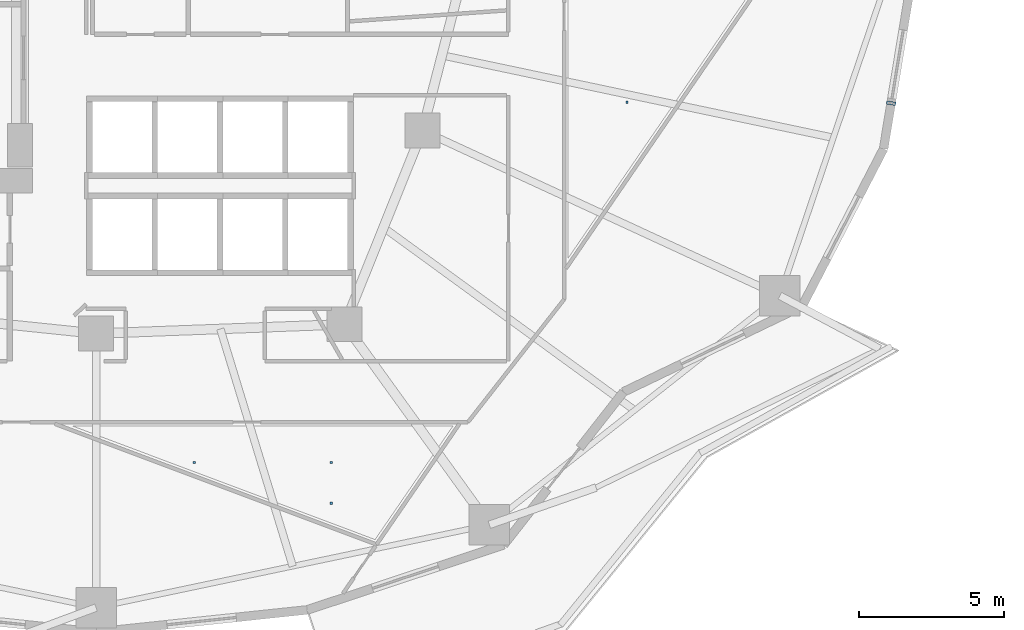
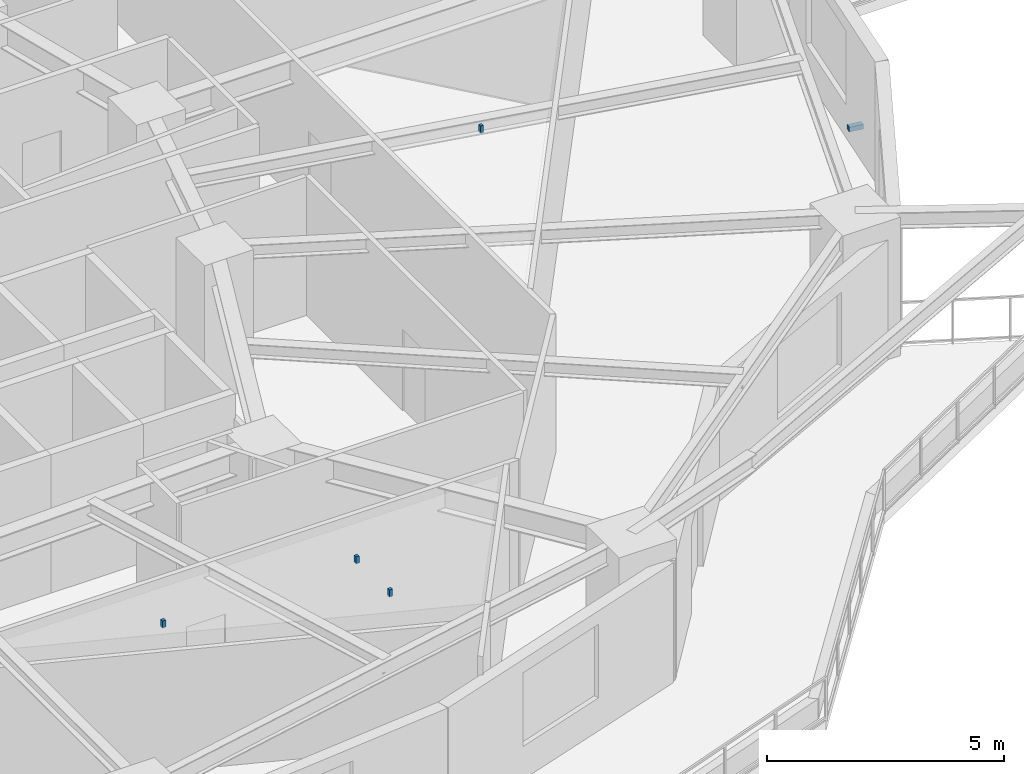
# One storey, part 9 of 16: 5 discrete accessories.
"""IFC4 building model written with IfcOpenShell, lengths in metres."""

from ifc_helpers import new_model, si_unit, direction, frame, origin, origin_2d, place, context, subcontext, project, spatial, rectangle, extrude, material, type_object, element, save


model = new_model("IFC4")

# Units and contexts
model_context = context("Model", 3, precision=1e-05, world=origin(), true_north=direction((0.0, 1.0)))
body_context = subcontext(model_context, "Body", "Model", "MODEL_VIEW")
ifc_project = project(units=[si_unit("LENGTHUNIT", "METRE"), si_unit("AREAUNIT", "SQUARE_METRE"), si_unit("VOLUMEUNIT", "CUBIC_METRE"), si_unit("PLANEANGLEUNIT", "RADIAN"), si_unit("MASSUNIT", "GRAM", prefix="KILO")], contexts=[model_context])

# Site, building, storey
site_placement = place(None, origin())
site = spatial("IfcSite", under=ifc_project, at=site_placement, CompositionType="ELEMENT")
building_placement = place(site_placement, origin())
building = spatial("IfcBuilding", under=site, at=building_placement, Name="Kolvaren Gate Tower and Convention Centre", CompositionType="ELEMENT")
storey_placement = place(building_placement, frame((0.0, 0.0, 34.199951171875)))
storey = spatial("IfcBuildingStorey", under=building, at=storey_placement, Name="L07", CompositionType="ELEMENT", Elevation=34.199951171875)

# Discrete accessories
ifc_material_1 = material(Name="Anodized Architectural Aluminium Alloy 6063-T6", Category="aluminium")
discrete_accessory_type_1 = type_object("IfcDiscreteAccessoryType", Name="ARCH-ACC-BRACKET-120", PredefinedType="BRACKET", material=ifc_material_1)
discrete_accessory_placement = place(storey_placement, frame((57.550048828125, 22.74658203125, 0.2900390625), z_axis=(0.0, 0.0, 1.0), x_axis=(0.162377123682, 0.986728772108, 0.0)))
element("IfcDiscreteAccessory", 1, at=discrete_accessory_placement, inside=storey, type_object=discrete_accessory_type_1, Name="Ceramic Fin Wall Anchor Bracket FBK-L07-23", PredefinedType="BRACKET", context=body_context, shape_type="SweptSolid", body=[
    extrude(rectangle(XDim=0.1201171875, YDim=0.320068359375, at=origin_2d()), origin(), (0.0, 0.0, 1.0), 0.1201171875),
])
ifc_material_2 = material(Name="Brushed Stainless Steel Grade 316L", Category="steel")
discrete_accessory_type_2 = type_object("IfcDiscreteAccessoryType", Name="ARCH-ACC-HANGER-80", PredefinedType="BRACKET", material=ifc_material_2)
for number, where, z_axis, x_axis, name in (
    (2, (38.236083984375, 8.947998046875, 3.39013671875), (0.0, 0.0, 1.0), (1.0, 0.0, 0.0), "Catering Tea Pantry Ceiling Suspension Hanger Clip 1"),
    (3, (33.514892578125, 10.35693359375, 3.39013671875), (0.0, 0.0, 1.0), (1.0, 0.0, 0.0), "Catering Tea Pantry Ceiling Suspension Hanger Clip 2"),
    (4, (38.236083984375, 10.35693359375, 3.39013671875), (0.0, 0.0, 1.0), (1.0, 0.0, 0.0), "Catering Tea Pantry Ceiling Suspension Hanger Clip 3"),
    (5, (48.43994140625, 22.77587890625, 3.39013671875), (0.0, 0.0, 1.0), (1.0, 0.0, 0.0), "Strategy Huddle Meeting Room Ceiling Suspension Hanger Clip 1"),
):
    element("IfcDiscreteAccessory", number, at=place(storey_placement, frame(where, z_axis=z_axis, x_axis=x_axis)), inside=storey, type_object=discrete_accessory_type_2, Name=name, PredefinedType="BRACKET", context=body_context, shape_type="SweptSolid", body=[
        extrude(rectangle(XDim=0.080078125, YDim=0.080078125, at=origin_2d()), origin(), (0.0, 0.0, 1.0), 0.179931640625),
    ])

save(model, "model.ifc")
